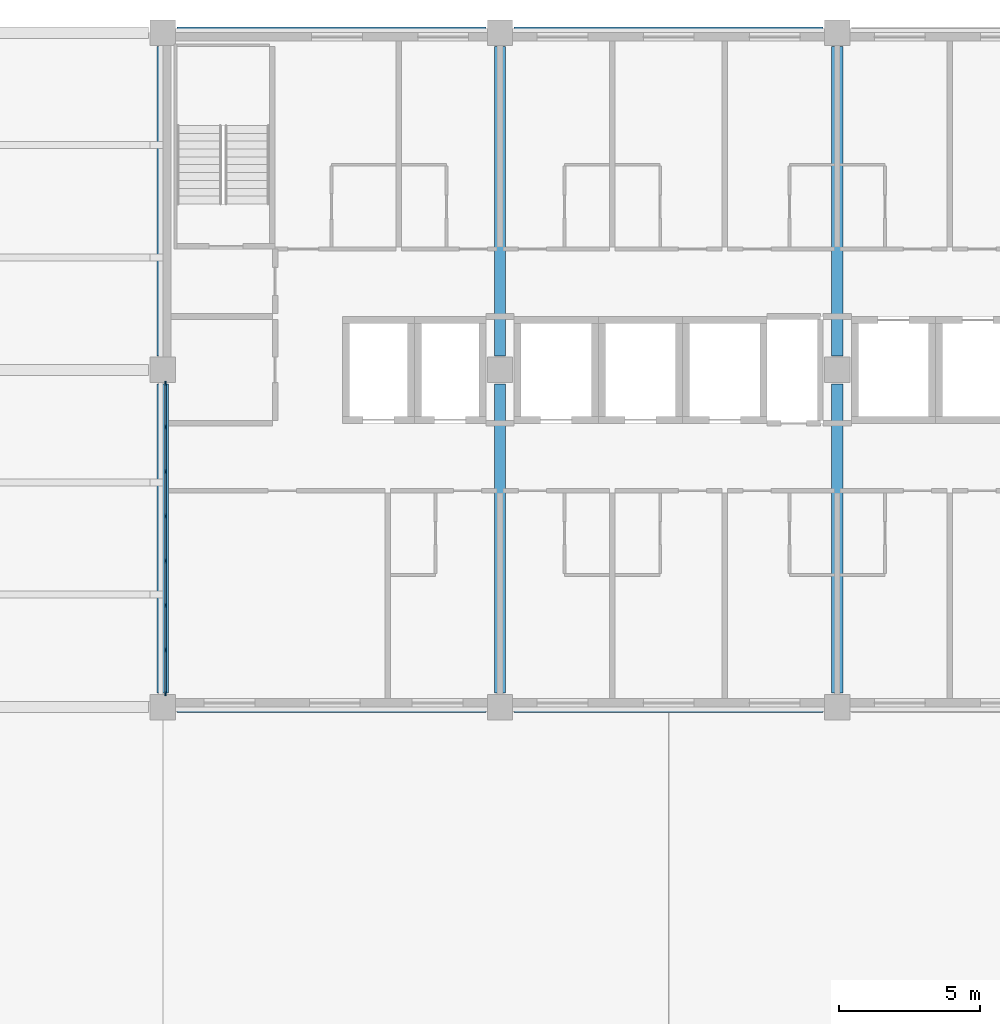
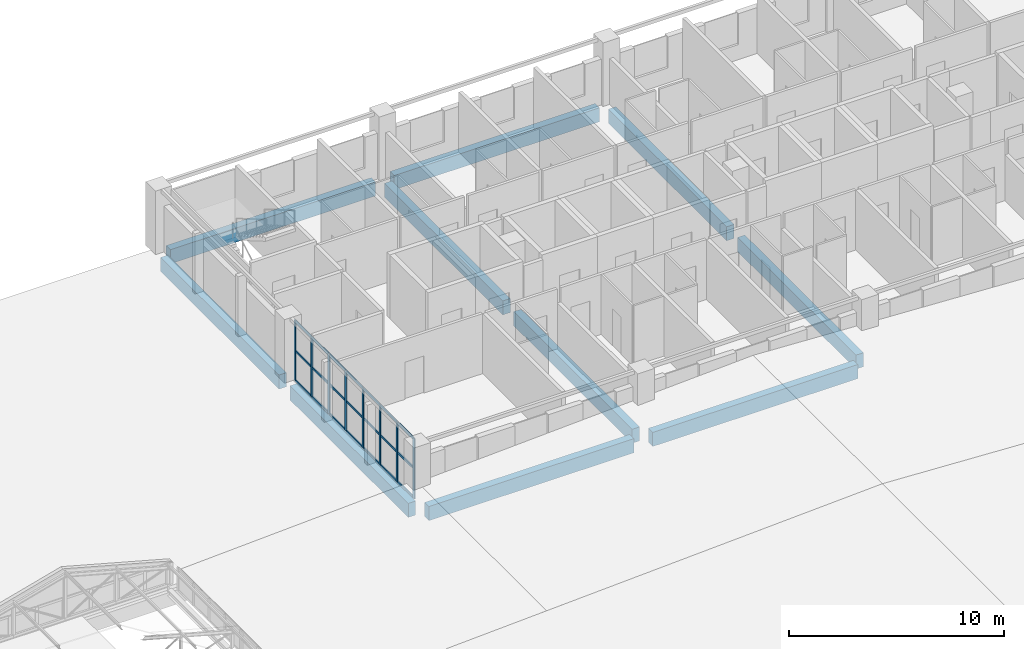
# One storey, part 64 of 94: 29 members, 10 beams, 1 element without a shape of its own.
"""IFC4 building model written with IfcOpenShell, lengths in metres."""

from ifc_helpers import new_model, si_unit, direction, frame, origin, origin_2d, place, context, subcontext, project, spatial, rectangle, extrude, material, layer, layer_set, material_profile, profile_set, type_object, element, aggregate, save


model = new_model("IFC4")

# Units and contexts
model_context = context("Model", 3, precision=1e-05, world=origin(), true_north=direction((0.0, 1.0)))
body_context = subcontext(model_context, "Body", "Model", "MODEL_VIEW")
ifc_project = project(units=[si_unit("LENGTHUNIT", "METRE"), si_unit("AREAUNIT", "SQUARE_METRE"), si_unit("VOLUMEUNIT", "CUBIC_METRE"), si_unit("PLANEANGLEUNIT", "RADIAN"), si_unit("MASSUNIT", "GRAM", prefix="KILO")], contexts=[model_context])

# Site, building, storey
site_placement = place(None, origin())
site = spatial("IfcSite", under=ifc_project, at=site_placement, CompositionType="ELEMENT")
building_placement = place(site_placement, origin())
building = spatial("IfcBuilding", under=site, at=building_placement, Name="Lilac Gate Convention Centre", CompositionType="ELEMENT")
storey_placement = place(building_placement, frame((0.0, 0.0, 21.0)))
storey = spatial("IfcBuildingStorey", under=building, at=storey_placement, Name="L04", CompositionType="ELEMENT", Elevation=21.0)

# Curtain wall, members
ifc_material_1 = material(Name="Aluminium framed double glazing", Category="aluminium")
ifc_layer = layer(ifc_material_1, 0.199951171875)
ifc_layer_set = layer_set([ifc_layer], Name="Aluminium framed double glazing")
curtain_wall_type = type_object("IfcCurtainWallType", Name="Unitised curtain wall 1500", PredefinedType="NOTDEFINED", material=ifc_layer_set)
curtain_wall_placement = place(storey_placement, origin())
curtain_wall = element("IfcCurtainWall", 1, at=curtain_wall_placement, inside=storey, type_object=curtain_wall_type, Name="Curtain wall W L04 2", PredefinedType="NOTDEFINED")
ifc_material_2 = material(Name="Aluminium alloy 6063", Category="aluminium")
ifc_material_profile_1 = material_profile(ifc_material_2, rectangle(XDim=0.06005859375, YDim=0.159912109375, at=origin_2d()), Name="Curtain wall mullion 60 x 160")
ifc_profile_set_1 = profile_set([ifc_material_profile_1], Name="Aluminium alloy 6063")
member_type_1 = type_object("IfcMemberType", Name="Curtain wall mullion 60 x 160", PredefinedType="MULLION", material=ifc_profile_set_1)
member_1_placement = place(storey_placement, frame((42.10009765625, 233.52001953125, 0.0), z_axis=(0.0, 0.0, 1.0), x_axis=(1.0, 0.0, 0.0)))
member_1 = element("IfcMember", 2, at=member_1_placement, type_object=member_type_1, Name="CW mullion 1", PredefinedType="MULLION", context=body_context, shape_type="SweptSolid", body=[
    extrude(rectangle(XDim=0.06005859375, YDim=0.159912109375, at=origin_2d()), origin(), (0.0, 0.0, 1.0), 3.39990234375),
])
member_2_placement = place(storey_placement, frame((42.10009765625, 231.96435546875, 0.0), z_axis=(0.0, 0.0, 1.0), x_axis=(1.0, 0.0, 0.0)))
member_2 = element("IfcMember", 3, at=member_2_placement, type_object=member_type_1, Name="CW mullion 2", PredefinedType="MULLION", context=body_context, shape_type="SweptSolid", body=[
    extrude(rectangle(XDim=0.06005859375, YDim=0.159912109375, at=origin_2d()), origin(), (0.0, 0.0, 1.0), 3.39990234375),
])
member_3_placement = place(storey_placement, frame((42.10009765625, 230.378662109375, 0.0), z_axis=(0.0, 0.0, 1.0), x_axis=(1.0, 0.0, 0.0)))
member_3 = element("IfcMember", 4, at=member_3_placement, type_object=member_type_1, Name="CW mullion 3", PredefinedType="MULLION", context=body_context, shape_type="SweptSolid", body=[
    extrude(rectangle(XDim=0.06005859375, YDim=0.159912109375, at=origin_2d()), origin(), (0.0, 0.0, 1.0), 3.39990234375),
])
member_4_placement = place(storey_placement, frame((42.10009765625, 228.79296875, 0.0), z_axis=(0.0, 0.0, 1.0), x_axis=(1.0, 0.0, 0.0)))
member_4 = element("IfcMember", 5, at=member_4_placement, type_object=member_type_1, Name="CW mullion 4", PredefinedType="MULLION", context=body_context, shape_type="SweptSolid", body=[
    extrude(rectangle(XDim=0.06005859375, YDim=0.159912109375, at=origin_2d()), origin(), (0.0, 0.0, 1.0), 3.39990234375),
])
member_5_placement = place(storey_placement, frame((42.10009765625, 227.20703125, 0.0), z_axis=(0.0, 0.0, 1.0), x_axis=(1.0, 0.0, 0.0)))
member_5 = element("IfcMember", 6, at=member_5_placement, type_object=member_type_1, Name="CW mullion 5", PredefinedType="MULLION", context=body_context, shape_type="SweptSolid", body=[
    extrude(rectangle(XDim=0.06005859375, YDim=0.159912109375, at=origin_2d()), origin(), (0.0, 0.0, 1.0), 3.39990234375),
])
member_6_placement = place(storey_placement, frame((42.10009765625, 225.621337890625, 0.0), z_axis=(0.0, 0.0, 1.0), x_axis=(1.0, 0.0, 0.0)))
member_6 = element("IfcMember", 7, at=member_6_placement, type_object=member_type_1, Name="CW mullion 6", PredefinedType="MULLION", context=body_context, shape_type="SweptSolid", body=[
    extrude(rectangle(XDim=0.06005859375, YDim=0.159912109375, at=origin_2d()), origin(), (0.0, 0.0, 1.0), 3.39990234375),
])
member_7_placement = place(storey_placement, frame((42.10009765625, 224.03564453125, 0.0), z_axis=(0.0, 0.0, 1.0), x_axis=(1.0, 0.0, 0.0)))
member_7 = element("IfcMember", 8, at=member_7_placement, type_object=member_type_1, Name="CW mullion 7", PredefinedType="MULLION", context=body_context, shape_type="SweptSolid", body=[
    extrude(rectangle(XDim=0.06005859375, YDim=0.159912109375, at=origin_2d()), origin(), (0.0, 0.0, 1.0), 3.39990234375),
])
member_8_placement = place(storey_placement, frame((42.10009765625, 222.47998046875, 0.0), z_axis=(0.0, 0.0, 1.0), x_axis=(1.0, 0.0, 0.0)))
member_8 = element("IfcMember", 9, at=member_8_placement, type_object=member_type_1, Name="CW mullion 8", PredefinedType="MULLION", context=body_context, shape_type="SweptSolid", body=[
    extrude(rectangle(XDim=0.06005859375, YDim=0.159912109375, at=origin_2d()), origin(), (0.0, 0.0, 1.0), 3.39990234375),
])
ifc_material_profile_2 = material_profile(ifc_material_2, rectangle(XDim=0.06005859375, YDim=0.1201171875, at=origin_2d()), Name="Curtain wall transom 60 x 120")
ifc_profile_set_2 = profile_set([ifc_material_profile_2], Name="Aluminium alloy 6063")
member_type_2 = type_object("IfcMemberType", Name="Curtain wall transom 60 x 120", PredefinedType="USERDEFINED", material=ifc_profile_set_2)
member_9_placement = place(storey_placement, frame((42.10009765625, 233.489990234375, 0.030029296875), z_axis=(0.0, -1.0, 0.0), x_axis=(1.0, 0.0, 0.0)))
member_9 = element("IfcMember", 10, at=member_9_placement, type_object=member_type_2, Name="CW transom 1.1", ObjectType="TRANSOM", PredefinedType="USERDEFINED", context=body_context, shape_type="SweptSolid", body=[
    extrude(rectangle(XDim=0.06005859375, YDim=0.1201171875, at=origin_2d()), origin(), (0.0, 0.0, 1.0), 1.49560546875),
])
member_10_placement = place(storey_placement, frame((42.10009765625, 233.489990234375, 1.699951171875), z_axis=(0.0, -1.0, 0.0), x_axis=(1.0, 0.0, 0.0)))
member_10 = element("IfcMember", 11, at=member_10_placement, type_object=member_type_2, Name="CW transom 1.2", ObjectType="TRANSOM", PredefinedType="USERDEFINED", context=body_context, shape_type="SweptSolid", body=[
    extrude(rectangle(XDim=0.06005859375, YDim=0.1201171875, at=origin_2d()), origin(), (0.0, 0.0, 1.0), 1.49560546875),
])
member_11_placement = place(storey_placement, frame((42.10009765625, 233.489990234375, 3.369873046875), z_axis=(0.0, -1.0, 0.0), x_axis=(1.0, 0.0, 0.0)))
member_11 = element("IfcMember", 12, at=member_11_placement, type_object=member_type_2, Name="CW transom 1.3", ObjectType="TRANSOM", PredefinedType="USERDEFINED", context=body_context, shape_type="SweptSolid", body=[
    extrude(rectangle(XDim=0.06005859375, YDim=0.1201171875, at=origin_2d()), origin(), (0.0, 0.0, 1.0), 1.49560546875),
])
member_12_placement = place(storey_placement, frame((42.10009765625, 231.934326171875, 0.030029296875), z_axis=(0.0, -1.0, 0.0), x_axis=(1.0, 0.0, 0.0)))
member_12 = element("IfcMember", 13, at=member_12_placement, type_object=member_type_2, Name="CW transom 2.1", ObjectType="TRANSOM", PredefinedType="USERDEFINED", context=body_context, shape_type="SweptSolid", body=[
    extrude(rectangle(XDim=0.06005859375, YDim=0.1201171875, at=origin_2d()), origin(), (0.0, 0.0, 1.0), 1.525634765625),
])
member_13_placement = place(storey_placement, frame((42.10009765625, 231.934326171875, 1.699951171875), z_axis=(0.0, -1.0, 0.0), x_axis=(1.0, 0.0, 0.0)))
member_13 = element("IfcMember", 14, at=member_13_placement, type_object=member_type_2, Name="CW transom 2.2", ObjectType="TRANSOM", PredefinedType="USERDEFINED", context=body_context, shape_type="SweptSolid", body=[
    extrude(rectangle(XDim=0.06005859375, YDim=0.1201171875, at=origin_2d()), origin(), (0.0, 0.0, 1.0), 1.525634765625),
])
member_14_placement = place(storey_placement, frame((42.10009765625, 231.934326171875, 3.369873046875), z_axis=(0.0, -1.0, 0.0), x_axis=(1.0, 0.0, 0.0)))
member_14 = element("IfcMember", 15, at=member_14_placement, type_object=member_type_2, Name="CW transom 2.3", ObjectType="TRANSOM", PredefinedType="USERDEFINED", context=body_context, shape_type="SweptSolid", body=[
    extrude(rectangle(XDim=0.06005859375, YDim=0.1201171875, at=origin_2d()), origin(), (0.0, 0.0, 1.0), 1.525634765625),
])
member_15_placement = place(storey_placement, frame((42.10009765625, 230.3486328125, 0.030029296875), z_axis=(0.0, -1.0, 0.0), x_axis=(1.0, 0.0, 0.0)))
member_15 = element("IfcMember", 16, at=member_15_placement, type_object=member_type_2, Name="CW transom 3.1", ObjectType="TRANSOM", PredefinedType="USERDEFINED", context=body_context, shape_type="SweptSolid", body=[
    extrude(rectangle(XDim=0.06005859375, YDim=0.1201171875, at=origin_2d()), origin(), (0.0, 0.0, 1.0), 1.52587890625),
])
member_16_placement = place(storey_placement, frame((42.10009765625, 230.3486328125, 1.699951171875), z_axis=(0.0, -1.0, 0.0), x_axis=(1.0, 0.0, 0.0)))
member_16 = element("IfcMember", 17, at=member_16_placement, type_object=member_type_2, Name="CW transom 3.2", ObjectType="TRANSOM", PredefinedType="USERDEFINED", context=body_context, shape_type="SweptSolid", body=[
    extrude(rectangle(XDim=0.06005859375, YDim=0.1201171875, at=origin_2d()), origin(), (0.0, 0.0, 1.0), 1.52587890625),
])
member_17_placement = place(storey_placement, frame((42.10009765625, 230.3486328125, 3.369873046875), z_axis=(0.0, -1.0, 0.0), x_axis=(1.0, 0.0, 0.0)))
member_17 = element("IfcMember", 18, at=member_17_placement, type_object=member_type_2, Name="CW transom 3.3", ObjectType="TRANSOM", PredefinedType="USERDEFINED", context=body_context, shape_type="SweptSolid", body=[
    extrude(rectangle(XDim=0.06005859375, YDim=0.1201171875, at=origin_2d()), origin(), (0.0, 0.0, 1.0), 1.52587890625),
])
member_18_placement = place(storey_placement, frame((42.10009765625, 228.762939453125, 0.030029296875), z_axis=(0.0, -1.0, 0.0), x_axis=(1.0, 0.0, 0.0)))
member_18 = element("IfcMember", 19, at=member_18_placement, type_object=member_type_2, Name="CW transom 4.1", ObjectType="TRANSOM", PredefinedType="USERDEFINED", context=body_context, shape_type="SweptSolid", body=[
    extrude(rectangle(XDim=0.06005859375, YDim=0.1201171875, at=origin_2d()), origin(), (0.0, 0.0, 1.0), 1.52587890625),
])
member_19_placement = place(storey_placement, frame((42.10009765625, 228.762939453125, 1.699951171875), z_axis=(0.0, -1.0, 0.0), x_axis=(1.0, 0.0, 0.0)))
member_19 = element("IfcMember", 20, at=member_19_placement, type_object=member_type_2, Name="CW transom 4.2", ObjectType="TRANSOM", PredefinedType="USERDEFINED", context=body_context, shape_type="SweptSolid", body=[
    extrude(rectangle(XDim=0.06005859375, YDim=0.1201171875, at=origin_2d()), origin(), (0.0, 0.0, 1.0), 1.52587890625),
])
member_20_placement = place(storey_placement, frame((42.10009765625, 228.762939453125, 3.369873046875), z_axis=(0.0, -1.0, 0.0), x_axis=(1.0, 0.0, 0.0)))
member_20 = element("IfcMember", 21, at=member_20_placement, type_object=member_type_2, Name="CW transom 4.3", ObjectType="TRANSOM", PredefinedType="USERDEFINED", context=body_context, shape_type="SweptSolid", body=[
    extrude(rectangle(XDim=0.06005859375, YDim=0.1201171875, at=origin_2d()), origin(), (0.0, 0.0, 1.0), 1.52587890625),
])
member_21_placement = place(storey_placement, frame((42.10009765625, 227.17724609375, 0.030029296875), z_axis=(0.0, -1.0, 0.0), x_axis=(1.0, 0.0, 0.0)))
member_21 = element("IfcMember", 22, at=member_21_placement, type_object=member_type_2, Name="CW transom 5.1", ObjectType="TRANSOM", PredefinedType="USERDEFINED", context=body_context, shape_type="SweptSolid", body=[
    extrude(rectangle(XDim=0.06005859375, YDim=0.1201171875, at=origin_2d()), origin(), (0.0, 0.0, 1.0), 1.52587890625),
])
member_22_placement = place(storey_placement, frame((42.10009765625, 227.17724609375, 1.699951171875), z_axis=(0.0, -1.0, 0.0), x_axis=(1.0, 0.0, 0.0)))
member_22 = element("IfcMember", 23, at=member_22_placement, type_object=member_type_2, Name="CW transom 5.2", ObjectType="TRANSOM", PredefinedType="USERDEFINED", context=body_context, shape_type="SweptSolid", body=[
    extrude(rectangle(XDim=0.06005859375, YDim=0.1201171875, at=origin_2d()), origin(), (0.0, 0.0, 1.0), 1.52587890625),
])
member_23_placement = place(storey_placement, frame((42.10009765625, 227.17724609375, 3.369873046875), z_axis=(0.0, -1.0, 0.0), x_axis=(1.0, 0.0, 0.0)))
member_23 = element("IfcMember", 24, at=member_23_placement, type_object=member_type_2, Name="CW transom 5.3", ObjectType="TRANSOM", PredefinedType="USERDEFINED", context=body_context, shape_type="SweptSolid", body=[
    extrude(rectangle(XDim=0.06005859375, YDim=0.1201171875, at=origin_2d()), origin(), (0.0, 0.0, 1.0), 1.52587890625),
])
member_24_placement = place(storey_placement, frame((42.10009765625, 225.59130859375, 0.030029296875), z_axis=(0.0, -1.0, 0.0), x_axis=(1.0, 0.0, 0.0)))
member_24 = element("IfcMember", 25, at=member_24_placement, type_object=member_type_2, Name="CW transom 6.1", ObjectType="TRANSOM", PredefinedType="USERDEFINED", context=body_context, shape_type="SweptSolid", body=[
    extrude(rectangle(XDim=0.06005859375, YDim=0.1201171875, at=origin_2d()), origin(), (0.0, 0.0, 1.0), 1.525634765625),
])
member_25_placement = place(storey_placement, frame((42.10009765625, 225.59130859375, 1.699951171875), z_axis=(0.0, -1.0, 0.0), x_axis=(1.0, 0.0, 0.0)))
member_25 = element("IfcMember", 26, at=member_25_placement, type_object=member_type_2, Name="CW transom 6.2", ObjectType="TRANSOM", PredefinedType="USERDEFINED", context=body_context, shape_type="SweptSolid", body=[
    extrude(rectangle(XDim=0.06005859375, YDim=0.1201171875, at=origin_2d()), origin(), (0.0, 0.0, 1.0), 1.525634765625),
])
member_26_placement = place(storey_placement, frame((42.10009765625, 225.59130859375, 3.369873046875), z_axis=(0.0, -1.0, 0.0), x_axis=(1.0, 0.0, 0.0)))
member_26 = element("IfcMember", 27, at=member_26_placement, type_object=member_type_2, Name="CW transom 6.3", ObjectType="TRANSOM", PredefinedType="USERDEFINED", context=body_context, shape_type="SweptSolid", body=[
    extrude(rectangle(XDim=0.06005859375, YDim=0.1201171875, at=origin_2d()), origin(), (0.0, 0.0, 1.0), 1.525634765625),
])
member_27_placement = place(storey_placement, frame((42.10009765625, 224.005615234375, 0.030029296875), z_axis=(0.0, -1.0, 0.0), x_axis=(1.0, 0.0, 0.0)))
member_27 = element("IfcMember", 28, at=member_27_placement, type_object=member_type_2, Name="CW transom 7.1", ObjectType="TRANSOM", PredefinedType="USERDEFINED", context=body_context, shape_type="SweptSolid", body=[
    extrude(rectangle(XDim=0.06005859375, YDim=0.1201171875, at=origin_2d()), origin(), (0.0, 0.0, 1.0), 1.49560546875),
])
member_28_placement = place(storey_placement, frame((42.10009765625, 224.005615234375, 1.699951171875), z_axis=(0.0, -1.0, 0.0), x_axis=(1.0, 0.0, 0.0)))
member_28 = element("IfcMember", 29, at=member_28_placement, type_object=member_type_2, Name="CW transom 7.2", ObjectType="TRANSOM", PredefinedType="USERDEFINED", context=body_context, shape_type="SweptSolid", body=[
    extrude(rectangle(XDim=0.06005859375, YDim=0.1201171875, at=origin_2d()), origin(), (0.0, 0.0, 1.0), 1.49560546875),
])
member_29_placement = place(storey_placement, frame((42.10009765625, 224.005615234375, 3.369873046875), z_axis=(0.0, -1.0, 0.0), x_axis=(1.0, 0.0, 0.0)))
member_29 = element("IfcMember", 30, at=member_29_placement, type_object=member_type_2, Name="CW transom 7.3", ObjectType="TRANSOM", PredefinedType="USERDEFINED", context=body_context, shape_type="SweptSolid", body=[
    extrude(rectangle(XDim=0.06005859375, YDim=0.1201171875, at=origin_2d()), origin(), (0.0, 0.0, 1.0), 1.49560546875),
])
aggregate(curtain_wall, [member_1, member_2, member_3, member_4, member_5, member_6, member_7, member_8, member_9, member_10, member_11, member_12, member_13, member_14, member_15, member_16, member_17, member_18, member_19, member_20, member_21, member_22, member_23, member_24, member_25, member_26, member_27, member_28, member_29])

# Beams
ifc_material_3 = material(Name="Concrete C40", Category="concrete")
ifc_material_profile_3 = material_profile(ifc_material_3, rectangle(XDim=0.39990234375, YDim=0.800048828125, at=origin_2d()), Name="RC 400x800")
ifc_profile_set_3 = profile_set([ifc_material_profile_3], Name="Concrete C40")
beam_type = type_object("IfcBeamType", Name="Tower primary beam 400x800 C40", PredefinedType="BEAM", material=ifc_profile_set_3)
for number, where, z_axis, x_axis, name in (
    (31, (42.5, 222.0, -0.60009765625), (1.0, 0.0, 0.0), (0.0, 1.0, 0.0), "RB3 L04 4/S-5/S"),
    (32, (54.5, 222.0, -0.60009765625), (1.0, 0.0, 0.0), (0.0, 1.0, 0.0), "RB3 L04 5/S-6/S"),
    (33, (42.5, 246.0, -0.60009765625), (1.0, 0.0, 0.0), (0.0, 1.0, 0.0), "RB3 L04 4/U-5/U"),
    (34, (54.5, 246.0, -0.60009765625), (1.0, 0.0, 0.0), (0.0, 1.0, 0.0), "RB3 L04 5/U-6/U"),
    (35, (42.0, 222.5, -0.60009765625), (0.0, 1.0, 0.0), (-1.0, 0.0, 0.0), "RB3 L04 4/S-4/T"),
    (36, (42.0, 234.5, -0.60009765625), (0.0, 1.0, 0.0), (-1.0, 0.0, 0.0), "RB3 L04 4/T-4/U"),
    (37, (54.0, 222.5, -0.60009765625), (0.0, 1.0, 0.0), (-1.0, 0.0, 0.0), "RB3 L04 5/S-5/T"),
    (38, (54.0, 234.5, -0.60009765625), (0.0, 1.0, 0.0), (-1.0, 0.0, 0.0), "RB3 L04 5/T-5/U"),
    (39, (66.0, 222.5, -0.60009765625), (0.0, 1.0, 0.0), (-1.0, 0.0, 0.0), "RB3 L04 6/S-6/T"),
    (40, (66.0, 234.5, -0.60009765625), (0.0, 1.0, 0.0), (-1.0, 0.0, 0.0), "RB3 L04 6/T-6/U"),
):
    element("IfcBeam", number, at=place(storey_placement, frame(where, z_axis=z_axis, x_axis=x_axis)), inside=storey, type_object=beam_type, Name=name, PredefinedType="BEAM", context=body_context, shape_type="SweptSolid", body=[
        extrude(rectangle(XDim=0.39990234375, YDim=0.800048828125, at=origin_2d()), origin(), (0.0, 0.0, 1.0), 11.0),
    ])

save(model, "model.ifc")
